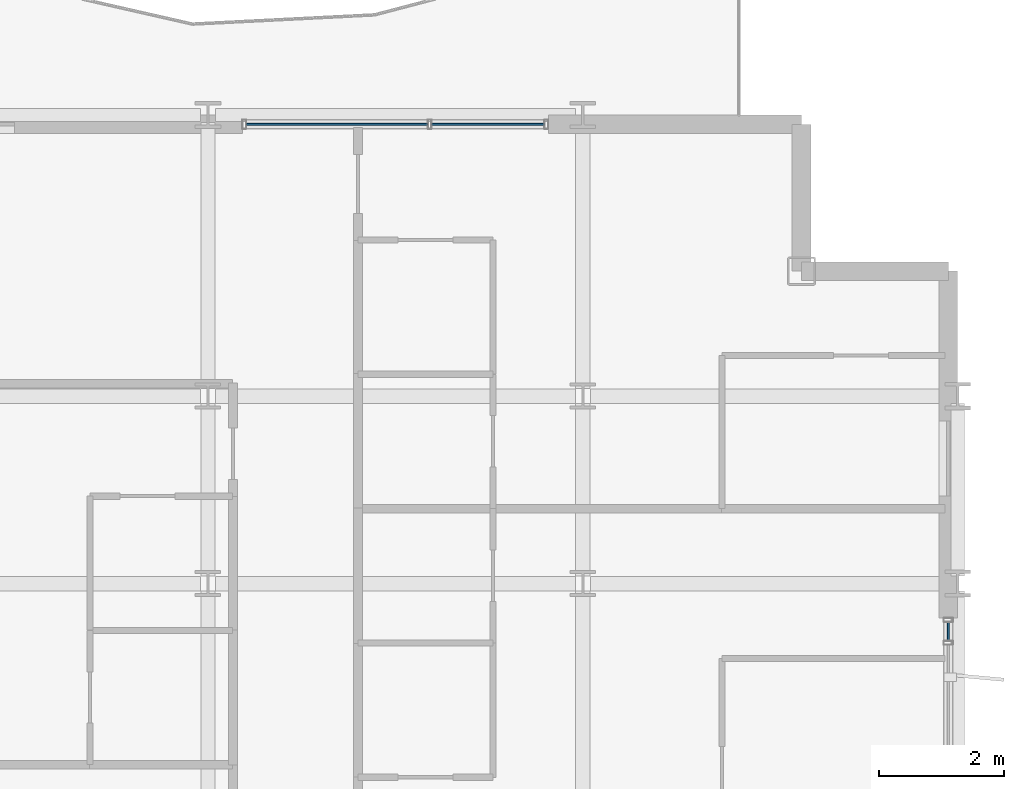
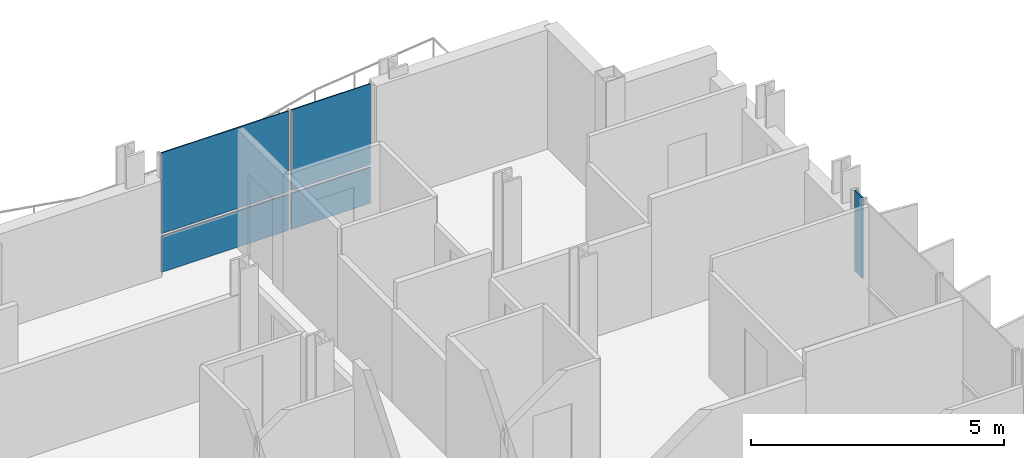
# One storey, part 24 of 38: 5 plates, 2 elements without a shape of their own.
"""IFC4 building model written with IfcOpenShell, lengths in metres."""

from ifc_helpers import new_model, si_unit, direction, frame, origin, origin_2d, place, context, subcontext, project, spatial, rectangle, extrude, material, layer, layer_set, type_object, element, aggregate, save


model = new_model("IFC4")

# Units and contexts
model_context = context("Model", 3, precision=1e-05, world=origin(), true_north=direction((0.0, 1.0)))
body_context = subcontext(model_context, "Body", "Model", "MODEL_VIEW")
ifc_project = project(units=[si_unit("LENGTHUNIT", "METRE"), si_unit("AREAUNIT", "SQUARE_METRE"), si_unit("VOLUMEUNIT", "CUBIC_METRE"), si_unit("PLANEANGLEUNIT", "RADIAN"), si_unit("MASSUNIT", "GRAM", prefix="KILO")], contexts=[model_context])

# Site, building, storey
site_placement = place(None, origin())
site = spatial("IfcSite", under=ifc_project, at=site_placement, CompositionType="ELEMENT")
building_placement = place(site_placement, origin())
building = spatial("IfcBuilding", under=site, at=building_placement, Name="Brevholm Reach", CompositionType="ELEMENT")
storey_placement = place(building_placement, frame((0.0, 0.0, 122.10009765625)))
storey = spatial("IfcBuildingStorey", under=building, at=storey_placement, Name="L36", CompositionType="ELEMENT", Elevation=122.10009765625)

# Curtain wall, plate
ifc_material_1 = material(Name="Dark Anodised Aluminium 6063-T6 and Solar-Control Glass", Category="aluminium")
ifc_layer_1 = layer(ifc_material_1, 0.14990234375)
ifc_layer_set_1 = layer_set([ifc_layer_1], Name="Dark Anodised Aluminium 6063-T6 and Solar-Control Glass")
curtain_wall_type = type_object("IfcCurtainWallType", Name="CW-01", PredefinedType="NOTDEFINED", material=ifc_layer_set_1)
curtain_wall_1_placement = place(storey_placement, origin())
curtain_wall_1 = element("IfcCurtainWall", 1, at=curtain_wall_1_placement, inside=storey, type_object=curtain_wall_type, Name="L36 Curtain Wall CW-01", PredefinedType="NOTDEFINED")
ifc_material_2 = material(Name="Dark Solar-Control Double-Glazed IGU Glass", Category="glass")
ifc_layer_2 = layer(ifc_material_2, 0.028076171875)
ifc_layer_set_2 = layer_set([ifc_layer_2], Name="Dark Solar-Control Double-Glazed IGU Glass")
plate_type = type_object("IfcPlateType", Name="CWP-GLZ-28", PredefinedType="CURTAIN_PANEL", material=ifc_layer_set_2)
plate_1_placement = place(storey_placement, frame((59.85009765625, 22.733642578125, 0.9326171875), z_axis=(0.0, 0.0, 1.0), x_axis=(0.0, 1.0, 0.0)))
plate_1 = element("IfcPlate", 2, at=plate_1_placement, type_object=plate_type, Name="CP-01 Glazing Panel 5.2", PredefinedType="CURTAIN_PANEL", context=body_context, shape_type="SweptSolid", body=[
    extrude(rectangle(XDim=0.302490234375, YDim=0.028076171875, at=origin_2d()), origin(), (0.0, 0.0, 1.0), 1.947509765625),
])
aggregate(curtain_wall_1, [plate_1])

# Curtain wall, plates
curtain_wall_2_placement = place(storey_placement, origin())
curtain_wall_2 = element("IfcCurtainWall", 3, at=curtain_wall_2_placement, inside=storey, type_object=curtain_wall_type, Name="L36 Curtain Wall CW-01", PredefinedType="NOTDEFINED")
plate_2_placement = place(storey_placement, frame((50.066162109375, 30.85009765625, 0.0), z_axis=(0.0, 0.0, 1.0), x_axis=(1.0, 0.0, 0.0)))
plate_2 = element("IfcPlate", 4, at=plate_2_placement, type_object=plate_type, Name="CP-01 Glazing Panel 1.1", PredefinedType="CURTAIN_PANEL", context=body_context, shape_type="SweptSolid", body=[
    extrude(rectangle(XDim=2.902587890625, YDim=0.028076171875, at=origin_2d()), origin(), (0.0, 0.0, 1.0), 0.867431640625),
])
plate_3_placement = place(storey_placement, frame((50.066162109375, 30.85009765625, 0.9326171875), z_axis=(0.0, 0.0, 1.0), x_axis=(1.0, 0.0, 0.0)))
plate_3 = element("IfcPlate", 5, at=plate_3_placement, type_object=plate_type, Name="CP-01 Glazing Panel 1.2", PredefinedType="CURTAIN_PANEL", context=body_context, shape_type="SweptSolid", body=[
    extrude(rectangle(XDim=2.902587890625, YDim=0.028076171875, at=origin_2d()), origin(), (0.0, 0.0, 1.0), 1.947509765625),
])
plate_4_placement = place(storey_placement, frame((52.483642578125, 30.85009765625, 0.0), z_axis=(0.0, 0.0, 1.0), x_axis=(1.0, 0.0, 0.0)))
plate_4 = element("IfcPlate", 6, at=plate_4_placement, type_object=plate_type, Name="CP-01 Glazing Panel 2.1", PredefinedType="CURTAIN_PANEL", context=body_context, shape_type="SweptSolid", body=[
    extrude(rectangle(XDim=1.802490234375, YDim=0.028076171875, at=origin_2d()), origin(), (0.0, 0.0, 1.0), 0.867431640625),
])
plate_5_placement = place(storey_placement, frame((52.483642578125, 30.85009765625, 0.9326171875), z_axis=(0.0, 0.0, 1.0), x_axis=(1.0, 0.0, 0.0)))
plate_5 = element("IfcPlate", 7, at=plate_5_placement, type_object=plate_type, Name="CP-01 Glazing Panel 2.2", PredefinedType="CURTAIN_PANEL", context=body_context, shape_type="SweptSolid", body=[
    extrude(rectangle(XDim=1.802490234375, YDim=0.028076171875, at=origin_2d()), origin(), (0.0, 0.0, 1.0), 1.947509765625),
])
aggregate(curtain_wall_2, [plate_2, plate_3, plate_4, plate_5])

save(model, "model.ifc")
